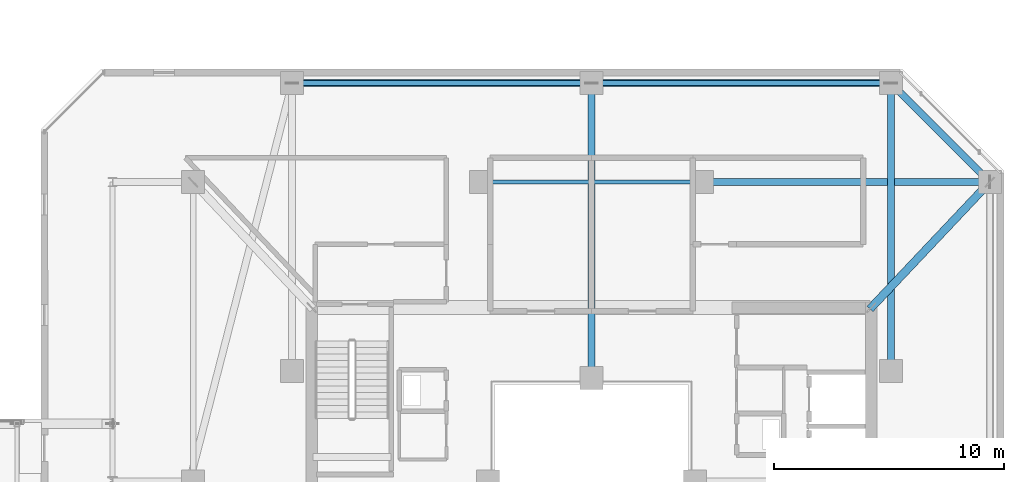
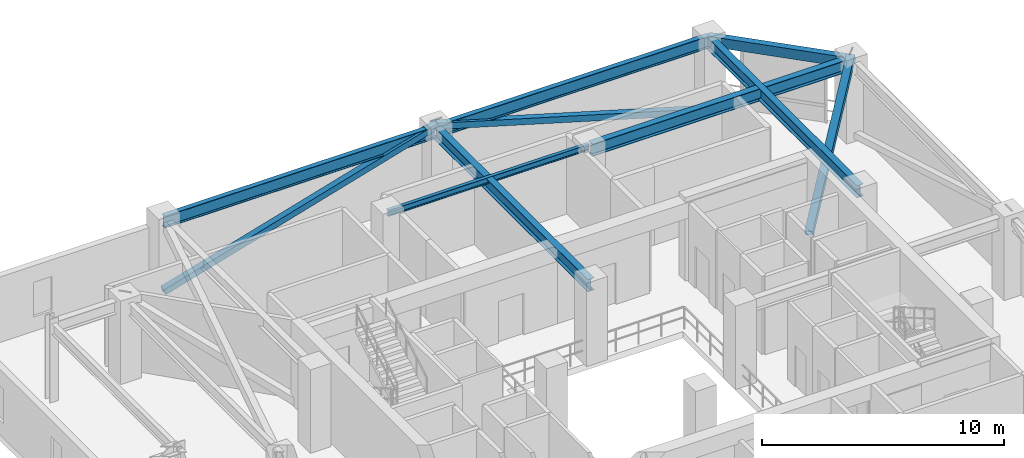
# One storey, part 25 of 42: 7 beams, 3 members.
"""IFC4 building model written with IfcOpenShell, lengths in metres."""

from ifc_helpers import new_model, si_unit, direction, frame, origin, origin_2d, place, context, subcontext, project, spatial, hollow_rectangle, i_section, extrude, material, material_profile, profile_set, type_object, element, save


model = new_model("IFC4")

# Units and contexts
model_context = context("Model", 3, precision=1e-05, world=origin(), true_north=direction((0.0, 1.0)))
body_context = subcontext(model_context, "Body", "Model", "MODEL_VIEW")
ifc_project = project(units=[si_unit("LENGTHUNIT", "METRE"), si_unit("AREAUNIT", "SQUARE_METRE"), si_unit("VOLUMEUNIT", "CUBIC_METRE"), si_unit("PLANEANGLEUNIT", "RADIAN"), si_unit("MASSUNIT", "GRAM", prefix="KILO")], contexts=[model_context])

# Site, building, storey
site_placement = place(None, origin())
site = spatial("IfcSite", under=ifc_project, at=site_placement, CompositionType="ELEMENT")
building_placement = place(site_placement, origin())
building = spatial("IfcBuilding", under=site, at=building_placement, Name="Thornwick Lancets Civic Towers", CompositionType="ELEMENT")
storey_placement = place(building_placement, frame((0.0, 0.0, 221.699951171875)))
storey = spatial("IfcBuildingStorey", under=building, at=storey_placement, Name="L59", CompositionType="ELEMENT", Elevation=221.699951171875)

# Beams
ifc_material_1 = material(Name="Steel S355JR", Category="steel")
ifc_material_profile_1 = material_profile(ifc_material_1, i_section(OverallWidth=0.230224609375, OverallDepth=0.6171875, WebThickness=0.01318359375, FlangeThickness=0.022216796875, FilletRadius=0.0126953125, at=origin_2d()), Name="UKB 610x229x140")
ifc_profile_set_1 = profile_set([ifc_material_profile_1], Name="Steel S355JR")
beam_type_1 = type_object("IfcBeamType", Name="BM_GIRD_610_140", PredefinedType="BEAM", material=ifc_profile_set_1)
beam_1_placement = place(storey_placement, frame((101.5, 44.300048828125, 3.6513671875), z_axis=(-1.0, 0.0, 0.0), x_axis=(0.0, -1.0, 0.0)))
element("IfcBeam", 1, at=beam_1_placement, inside=storey, type_object=beam_type_1, Name="BM-SPINE-L59-B-3-4", PredefinedType="BEAM", context=body_context, shape_type="SweptSolid", body=[
    extrude(i_section(OverallWidth=0.230224609375, OverallDepth=0.6171875, WebThickness=0.01318359375, FlangeThickness=0.022216796875, FilletRadius=0.0126953125, at=origin_2d()), origin(), (0.0, 0.0, 1.0), 13.0),
])
beam_2_placement = place(storey_placement, frame((88.419921875, 44.300048828125, 3.6513671875), z_axis=(-1.0, 0.0, 0.0), x_axis=(0.0, -1.0, 0.0)))
element("IfcBeam", 2, at=beam_2_placement, inside=storey, type_object=beam_type_1, Name="BM-SPINE-L59-B-4-5", PredefinedType="BEAM", context=body_context, shape_type="SweptSolid", body=[
    extrude(i_section(OverallWidth=0.230224609375, OverallDepth=0.6171875, WebThickness=0.01318359375, FlangeThickness=0.022216796875, FilletRadius=0.0126953125, at=origin_2d()), origin(), (0.0, 0.0, 1.0), 12.919921875),
])
ifc_material_profile_2 = material_profile(ifc_material_1, i_section(OverallWidth=0.30712890625, OverallDepth=0.6201171875, WebThickness=0.01416015625, FlangeThickness=0.023681640625, FilletRadius=0.0166015625, at=origin_2d()), Name="UKB 610x305x179")
ifc_profile_set_2 = profile_set([ifc_material_profile_2], Name="Steel S355JR")
beam_type_2 = type_object("IfcBeamType", Name="BM_GIRD_610_179", PredefinedType="BEAM", material=ifc_profile_set_2)
beam_3_placement = place(storey_placement, frame((93.3798828125, 40.0, 3.64990234375), z_axis=(1.0, 0.0, 0.0), x_axis=(0.0, 1.0, 0.0)))
element("IfcBeam", 3, at=beam_3_placement, inside=storey, type_object=beam_type_2, Name="BM-RADIN-L59-B03", PredefinedType="BEAM", context=body_context, shape_type="SweptSolid", body=[
    extrude(i_section(OverallWidth=0.30712890625, OverallDepth=0.6201171875, WebThickness=0.01416015625, FlangeThickness=0.023681640625, FilletRadius=0.0166015625, at=origin_2d()), origin(), (0.0, 0.0, 1.0), 12.420166015625),
])
beam_4_placement = place(storey_placement, frame((101.5, 31.800048828125, 3.64990234375), z_axis=(0.0, 1.0, 0.0), x_axis=(-1.0, 0.0, 0.0)))
element("IfcBeam", 4, at=beam_4_placement, inside=storey, type_object=beam_type_2, Name="BM-RADIN-L59-B04", PredefinedType="BEAM", context=body_context, shape_type="SweptSolid", body=[
    extrude(i_section(OverallWidth=0.30712890625, OverallDepth=0.6201171875, WebThickness=0.01416015625, FlangeThickness=0.023681640625, FilletRadius=0.0166015625, at=origin_2d()), origin(), (0.0, 0.0, 1.0), 12.5),
])
beam_5_placement = place(storey_placement, frame((88.5, 31.5, 3.64990234375), z_axis=(0.0, 1.0, 0.0), x_axis=(-1.0, 0.0, 0.0)))
element("IfcBeam", 5, at=beam_5_placement, inside=storey, type_object=beam_type_2, Name="BM-RADIN-L59-B05", PredefinedType="BEAM", context=body_context, shape_type="SweptSolid", body=[
    extrude(i_section(OverallWidth=0.30712890625, OverallDepth=0.6201171875, WebThickness=0.01416015625, FlangeThickness=0.023681640625, FilletRadius=0.0166015625, at=origin_2d()), origin(), (0.0, 0.0, 1.0), 12.800048828125),
])
ifc_material_profile_3 = material_profile(ifc_material_1, i_section(OverallWidth=0.1669921875, OverallDepth=0.310302734375, WebThickness=0.0078125, FlangeThickness=0.013671875, FilletRadius=0.0087890625, at=origin_2d()), Name="UKB 305x165x54")
ifc_profile_set_3 = profile_set([ifc_material_profile_3], Name="Steel S355JR")
beam_type_3 = type_object("IfcBeamType", Name="BM_LINTEL_305_54", PredefinedType="LINTEL", material=ifc_profile_set_3)
beam_6_placement = place(storey_placement, frame((93.300048828125, 40.0, 3.804931640625), z_axis=(-1.0, 0.0, 0.0), x_axis=(0.0, -1.0, 0.0)))
element("IfcBeam", 6, at=beam_6_placement, inside=storey, type_object=beam_type_3, Name="BM-INSP-L59-B-1-3", PredefinedType="LINTEL", context=body_context, shape_type="SweptSolid", body=[
    extrude(i_section(OverallWidth=0.1669921875, OverallDepth=0.310302734375, WebThickness=0.0078125, FlangeThickness=0.013671875, FilletRadius=0.0087890625, at=origin_2d()), origin(), (0.0, 0.0, 1.0), 9.60009765625),
])
ifc_material_2 = material(Name="Steel S460M", Category="steel")
ifc_material_profile_4 = material_profile(ifc_material_2, hollow_rectangle(XDim=0.300048828125, YDim=0.5, WallThickness=0.02001953125, at=origin_2d()), Name="RHS 500x300x20")
ifc_profile_set_4 = profile_set([ifc_material_profile_4], Name="Steel S460M")
beam_type_4 = type_object("IfcBeamType", Name="BM_RING_RHS500", PredefinedType="BEAM", material=ifc_profile_set_4)
beam_7_placement = place(storey_placement, frame((105.800048828125, 40.0, 3.7099609375), z_axis=(-0.707106781187, 0.707106781187, 0.0), x_axis=(-0.707106781187, -0.707106781187, 0.0)))
element("IfcBeam", 7, at=beam_7_placement, inside=storey, type_object=beam_type_4, Name="BM-CHAMF-L59-B-C0", PredefinedType="BEAM", context=body_context, shape_type="SweptSolid", body=[
    extrude(hollow_rectangle(XDim=0.300048828125, YDim=0.5, WallThickness=0.02001953125, at=origin_2d()), origin(), (0.0, 0.0, 1.0), 6.081298828125),
])

# Members
ifc_material_profile_5 = material_profile(ifc_material_2, hollow_rectangle(XDim=0.300048828125, YDim=0.300048828125, WallThickness=0.01611328125, at=origin_2d()), Name="SHS 300x300x16")
ifc_profile_set_5 = profile_set([ifc_material_profile_5], Name="Steel S460M")
member_type_1 = type_object("IfcMemberType", Name="MEM_BELT_SHS300", PredefinedType="BRACE", material=ifc_profile_set_5)
for number, where, z_axis, x_axis, name in (
    (8, (101.5, 44.300048828125, 0.150146484375), (-0.959639110761, 0.0, 0.281234381074), (0.0, -1.0, 0.0), "L59 Belt Truss Diagonal B-S1-1"),
    (9, (75.5, 44.300048828125, 0.150146484375), (0.959639110761, 0.0, 0.281234381074), (0.0, 1.0, 0.0), "L59 Belt Truss Diagonal B-S1-2"),
):
    element("IfcMember", number, at=place(storey_placement, frame(where, z_axis=z_axis, x_axis=x_axis)), inside=storey, type_object=member_type_1, Name=name, PredefinedType="BRACE", context=body_context, shape_type="SweptSolid", body=[
        extrude(hollow_rectangle(XDim=0.300048828125, YDim=0.300048828125, WallThickness=0.01611328125, at=origin_2d()), origin(), (0.0, 0.0, 1.0), 13.546875),
    ])
ifc_material_profile_6 = material_profile(ifc_material_2, hollow_rectangle(XDim=0.35009765625, YDim=0.35009765625, WallThickness=0.01611328125, at=origin_2d()), Name="SHS 350x350x16")
ifc_profile_set_6 = profile_set([ifc_material_profile_6], Name="Steel S460M")
member_type_2 = type_object("IfcMemberType", Name="MEM_OUTRIG_SHS350", PredefinedType="BRACE", material=ifc_profile_set_6)
member_placement = place(storey_placement, frame((100.64990234375, 34.550048828125, 0.150146484375), z_axis=(0.612329269887, 0.647974699772, 0.452969815434), x_axis=(-0.726815378038, 0.686832880872, 0.0)))
element("IfcMember", 10, at=member_placement, inside=storey, type_object=member_type_2, Name="L59 Outrigger Brace B-2", PredefinedType="BRACE", context=body_context, shape_type="SweptSolid", body=[
    extrude(hollow_rectangle(XDim=0.35009765625, YDim=0.35009765625, WallThickness=0.01611328125, at=origin_2d()), origin(), (0.0, 0.0, 1.0), 8.41064453125),
])

save(model, "model.ifc")
